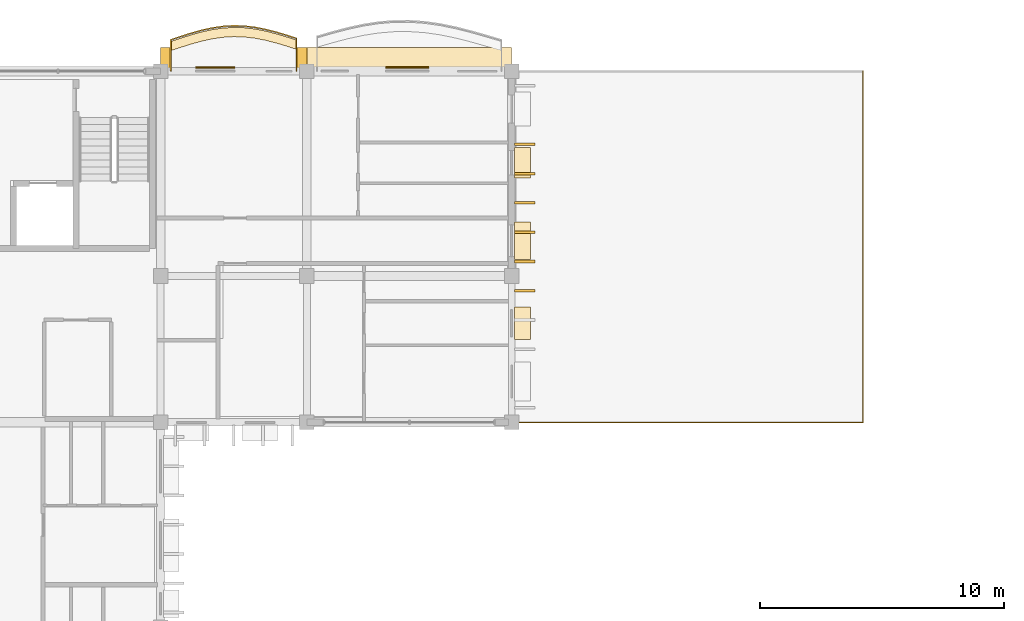
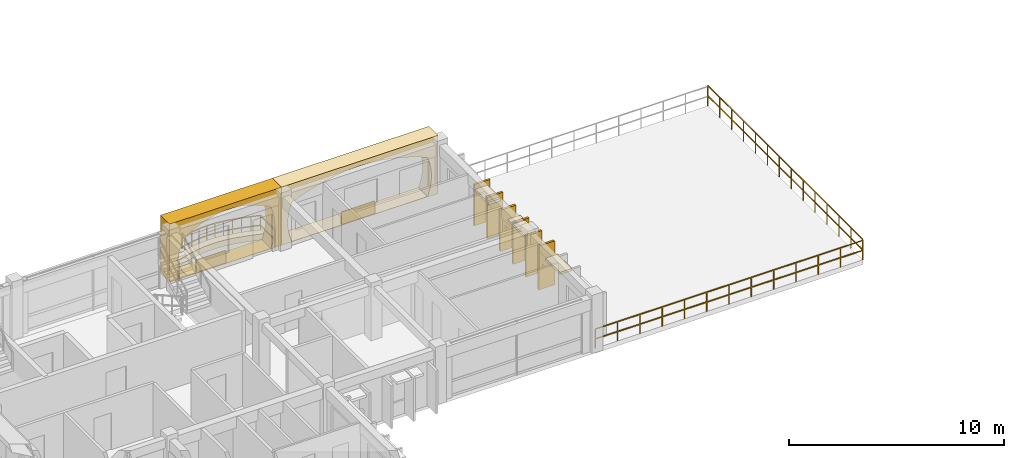
# One storey, part 24 of 31: 14 coverings, 3 railings.
"""IFC4 building model written with IfcOpenShell, lengths in metres."""

from ifc_helpers import new_model, si_unit, direction, frame, origin, origin_2d, place, context, subcontext, project, spatial, polyline, rectangle, outline, extrude, material, layer, layer_set, type_object, element, save


model = new_model("IFC4")

# Units and contexts
model_context = context("Model", 3, precision=1e-05, world=origin(), true_north=direction((0.0, 1.0)))
body_context = subcontext(model_context, "Body", "Model", "MODEL_VIEW")
ifc_project = project(units=[si_unit("LENGTHUNIT", "METRE"), si_unit("AREAUNIT", "SQUARE_METRE"), si_unit("VOLUMEUNIT", "CUBIC_METRE"), si_unit("PLANEANGLEUNIT", "RADIAN"), si_unit("MASSUNIT", "GRAM", prefix="KILO"), si_unit("THERMODYNAMICTEMPERATUREUNIT", "KELVIN")], contexts=[model_context])

# Site, building, storey
site_placement = place(None, origin())
site = spatial("IfcSite", under=ifc_project, at=site_placement, CompositionType="ELEMENT")
building_placement = place(site_placement, origin())
building = spatial("IfcBuilding", under=site, at=building_placement, Name="Thalorik Housing Commons", CompositionType="ELEMENT")
storey_placement = place(building_placement, frame((0.0, 0.0, 37.800048828125)))
storey = spatial("IfcBuildingStorey", under=building, at=storey_placement, Name="L11", CompositionType="ELEMENT", Elevation=37.800048828125)

# Coverings
ifc_material_1 = material(Name="Cobalt blue glazed ceramic facade tile panel", Category="masonry")
ifc_layer_1 = layer(ifc_material_1, 0.06005859375, Name="Cobalt blue glazed ceramic facade tile panel", Category="masonry")
ifc_layer_set_1 = layer_set([ifc_layer_1], Name="Cobalt blue glazed ceramic facade tile panel")
covering_type_1 = type_object("IfcCoveringType", Name="ARC-CLD-BLU-60", PredefinedType="CLADDING", material=ifc_layer_set_1)
covering_1_placement = place(storey_placement, frame((32.91748046875, 123.74755859375, 0.0498046875), z_axis=(0.0, 0.0, 1.0), x_axis=(-1.0, 0.0, 0.0)))
element("IfcCovering", 1, at=covering_1_placement, inside=storey, type_object=covering_type_1, Name="L11 De Stijl Recessed Window Spandrel 1131", PredefinedType="CLADDING", context=body_context, shape_type="SweptSolid", body=[
    extrude(rectangle(XDim=1.780029296875, YDim=0.06005859375, at=origin_2d()), origin(), (0.0, 0.0, 1.0), 0.699951171875),
])
ifc_material_2 = material(Name="Precast concrete C40/50", Category="concrete")
ifc_layer_2 = layer(ifc_material_2, 0.85009765625, Name="Precast concrete C40/50", Category="concrete")
ifc_layer_set_2 = layer_set([ifc_layer_2], Name="Precast concrete C40/50")
covering_type_2 = type_object("IfcCoveringType", Name="ARC-CLD-CUSH-850", PredefinedType="CLADDING", material=ifc_layer_set_2)
covering_2_placement = place(storey_placement, frame((33.0, 124.137451171875, 0.0), z_axis=(0.0, 0.0, 1.0), x_axis=(-1.0, 0.0, 0.0)))
element("IfcCovering", 2, at=covering_2_placement, inside=storey, type_object=covering_type_2, Name="L11 White Precast Curved Cushion Bay Frame 1130", PredefinedType="CLADDING", context=body_context, shape_type="SweptSolid", body=[
    extrude(outline(polyline([(-4.199951171875, 0.0), (4.199951171875, 0.0), (4.199951171875, 3.300048828125), (-4.199951171875, 3.300048828125), (-4.199951171875, 0.0)]), holes=[polyline([(3.65234375, 0.02490234375), (3.76806640625, 0.394287109375), (3.83740234375, 0.76318359375), (3.860595703125, 1.132568359375), (3.83740234375, 1.501708984375), (3.76806640625, 1.870849609375), (3.65234375, 2.239990234375), (3.04541015625, 2.4833984375), (2.438720703125, 2.6748046875), (1.831787109375, 2.82958984375), (1.224853515625, 2.94482421875), (0.6181640625, 3.01611328125), (0.01123046875, 3.0400390625), (-0.595703125, 3.01611328125), (-1.202392578125, 2.94482421875), (-1.809326171875, 2.82958984375), (-2.416259765625, 2.6748046875), (-3.023193359375, 2.4833984375), (-3.6298828125, 2.239990234375), (-3.750244140625, 1.870849609375), (-3.822509765625, 1.501708984375), (-3.8466796875, 1.132568359375), (-3.822509765625, 0.76318359375), (-3.750244140625, 0.394287109375), (-3.6298828125, 0.02490234375), (3.65234375, 0.02490234375)])]), frame((0.0, 0.425048828125, 0.0), z_axis=(0.0, -1.0, 0.0), x_axis=(1.0, 0.0, 0.0)), (0.0, 0.0, 1.0), 0.85009765625),
])
covering_3_placement = place(storey_placement, frame((25.800048828125, 124.137451171875, 0.0), z_axis=(0.0, 0.0, 1.0), x_axis=(-1.0, 0.0, 0.0)))
element("IfcCovering", 3, at=covering_3_placement, inside=storey, type_object=covering_type_2, Name="L11 White Precast Curved Cushion Bay Frame 1132", PredefinedType="CLADDING", context=body_context, shape_type="SweptSolid", body=[
    extrude(outline(polyline([(-3.0, 0.0), (3.0, 0.0), (3.0, 3.300048828125), (-3.0, 3.300048828125), (-3.0, 0.0)]), holes=[polyline([(2.0400390625, 0.02490234375), (2.3232421875, 0.415771484375), (2.493408203125, 0.806640625), (2.550048828125, 1.197509765625), (2.493408203125, 1.58837890625), (2.3232421875, 1.979248046875), (2.0400390625, 2.3701171875), (1.66748046875, 2.573974609375), (1.294921875, 2.734130859375), (0.922607421875, 2.864013671875), (0.550048828125, 2.960205078125), (0.177490234375, 3.02001953125), (-0.195068359375, 3.0400390625), (-0.5673828125, 3.02001953125), (-0.93994140625, 2.960205078125), (-1.3125, 2.864013671875), (-1.68505859375, 2.734130859375), (-2.0576171875, 2.573974609375), (-2.429931640625, 2.3701171875), (-2.55029296875, 1.979248046875), (-2.62255859375, 1.58837890625), (-2.646484375, 1.197509765625), (-2.62255859375, 0.806640625), (-2.55029296875, 0.415771484375), (-2.429931640625, 0.02490234375), (2.0400390625, 0.02490234375)])]), frame((0.0, 0.425048828125, 0.0), z_axis=(0.0, -1.0, 0.0), x_axis=(1.0, 0.0, 0.0)), (0.0, 0.0, 1.0), 0.85009765625),
])
ifc_layer_3 = layer(ifc_material_2, 0.85009765625, Name="Precast concrete C40/50", Category="concrete")
ifc_layer_set_3 = layer_set([ifc_layer_3], Name="Precast concrete C40/50")
covering_type_3 = type_object("IfcCoveringType", Name="ARC-CLD-FIN-850", PredefinedType="CLADDING", material=ifc_layer_set_3)
covering_4_placement = place(storey_placement, frame((37.737548828125, 114.60009765625, 0.039794921875), z_axis=(0.0, 0.0, 1.0), x_axis=(0.0, 1.0, 0.0)))
element("IfcCovering", 4, at=covering_4_placement, inside=storey, type_object=covering_type_3, Name="L11 Courtyard Precast Vertical Brise-Soleil Fin 1118", PredefinedType="CLADDING", context=body_context, shape_type="SweptSolid", body=[
    extrude(rectangle(XDim=0.110107421875, YDim=0.85009765625, at=origin_2d()), origin(), (0.0, 0.0, 1.0), 2.4951171875),
])
for number, where, z_axis, x_axis, name in (
    (5, (37.737548828125, 115.800048828125, 0.0400390625), (0.0, 0.0, 1.0), (0.0, 1.0, 0.0), "L11 Courtyard Precast Vertical Brise-Soleil Fin 1121"),
    (6, (37.737548828125, 117.0, 0.0400390625), (0.0, 0.0, 1.0), (0.0, 1.0, 0.0), "L11 Courtyard Precast Vertical Brise-Soleil Fin 1122"),
    (7, (37.737548828125, 118.199951171875, 0.0400390625), (0.0, 0.0, 1.0), (0.0, 1.0, 0.0), "L11 Courtyard Precast Vertical Brise-Soleil Fin 1123"),
    (8, (37.737548828125, 119.39990234375, 0.0400390625), (0.0, 0.0, 1.0), (0.0, 1.0, 0.0), "L11 Courtyard Precast Vertical Brise-Soleil Fin 1124"),
    (9, (37.737548828125, 120.60009765625, 0.0400390625), (0.0, 0.0, 1.0), (0.0, 1.0, 0.0), "L11 Courtyard Precast Vertical Brise-Soleil Fin 1125"),
):
    element("IfcCovering", number, at=place(storey_placement, frame(where, z_axis=z_axis, x_axis=x_axis)), inside=storey, type_object=covering_type_3, Name=name, PredefinedType="CLADDING", context=body_context, shape_type="SweptSolid", body=[
        extrude(rectangle(XDim=0.110107421875, YDim=0.85009765625, at=origin_2d()), origin(), (0.0, 0.0, 1.0), 2.344970703125),
    ])
ifc_layer_4 = layer(ifc_material_2, 0.64990234375, Name="Precast concrete C40/50", Category="concrete")
ifc_layer_set_4 = layer_set([ifc_layer_4], Name="Precast concrete C40/50")
covering_type_4 = type_object("IfcCoveringType", Name="ARC-CLD-HOOD-650", PredefinedType="CLADDING", material=ifc_layer_set_4)
covering_5_placement = place(storey_placement, frame((37.637451171875, 113.26513671875, 2.08984375), z_axis=(0.0, 0.0, 1.0), x_axis=(0.0, 1.0, 0.0)))
element("IfcCovering", 10, at=covering_5_placement, inside=storey, type_object=covering_type_4, Name="L11 Courtyard Precast Window Sun-Hood 1120", PredefinedType="CLADDING", context=body_context, shape_type="SweptSolid", body=[
    extrude(rectangle(XDim=1.340087890625, YDim=0.64990234375, at=origin_2d()), origin(), (0.0, 0.0, 1.0), 0.139892578125),
])
covering_6_placement = place(storey_placement, frame((37.637451171875, 116.64990234375, 2.18994140625), z_axis=(0.0, 0.0, 1.0), x_axis=(0.0, 1.0, 0.0)))
element("IfcCovering", 11, at=covering_6_placement, inside=storey, type_object=covering_type_4, Name="L11 Courtyard Precast Window Sun-Hood 1128", PredefinedType="CLADDING", context=body_context, shape_type="SweptSolid", body=[
    extrude(rectangle(XDim=1.5400390625, YDim=0.64990234375, at=origin_2d()), origin(), (0.0, 0.0, 1.0), 0.139892578125),
])
covering_7_placement = place(storey_placement, frame((37.637451171875, 119.8447265625, 2.0400390625), z_axis=(0.0, 0.0, 1.0), x_axis=(0.0, 1.0, 0.0)))
element("IfcCovering", 12, at=covering_7_placement, inside=storey, type_object=covering_type_4, Name="L11 Courtyard Precast Window Sun-Hood 1129", PredefinedType="CLADDING", context=body_context, shape_type="SweptSolid", body=[
    extrude(rectangle(XDim=1.239990234375, YDim=0.64990234375, at=origin_2d()), origin(), (0.0, 0.0, 1.0), 0.139892578125),
])
ifc_material_3 = material(Name="Mineral ochre architectural terracotta panel", Category="masonry")
ifc_layer_5 = layer(ifc_material_3, 0.06494140625, Name="Mineral ochre architectural terracotta panel", Category="masonry")
ifc_layer_set_5 = layer_set([ifc_layer_5], Name="Mineral ochre architectural terracotta panel")
covering_type_5 = type_object("IfcCoveringType", Name="ARC-CLD-YEL-65", PredefinedType="CLADDING", material=ifc_layer_set_5)
covering_8_placement = place(storey_placement, frame((25.034912109375, 123.75, 0.0498046875), z_axis=(0.0, 0.0, 1.0), x_axis=(-1.0, 0.0, 0.0)))
element("IfcCovering", 13, at=covering_8_placement, inside=storey, type_object=covering_type_5, Name="L11 De Stijl Recessed Window Spandrel 1133", PredefinedType="CLADDING", context=body_context, shape_type="SweptSolid", body=[
    extrude(rectangle(XDim=1.60009765625, YDim=0.06494140625, at=origin_2d()), origin(), (0.0, 0.0, 1.0), 0.699951171875),
])
ifc_material_4 = material(Name="Planted vegetated substrate and terracotta trough", Category="masonry")
ifc_layer_6 = layer(ifc_material_4, 0.340087890625, Name="Planted vegetated substrate and terracotta trough", Category="masonry")
ifc_layer_set_6 = layer_set([ifc_layer_6], Name="Planted vegetated substrate and terracotta trough")
covering_type_6 = type_object("IfcCoveringType", Name="ARC-COV-PLANTER", PredefinedType="USERDEFINED", material=ifc_layer_set_6)
covering_9_placement = place(storey_placement, origin())
element("IfcCovering", 14, at=covering_9_placement, inside=storey, type_object=covering_type_6, Name="L11 Balcony Slab-Edge Planted Trough 5392", ObjectType="PLANTER", PredefinedType="USERDEFINED", context=body_context, shape_type="SweptSolid", body=[
    extrude(outline(polyline([(28.3798828125, 124.877197265625), (27.949951171875, 125.014404296875), (27.52001953125, 125.141845703125), (27.090087890625, 125.2509765625), (26.659912109375, 125.333251953125), (26.22998046875, 125.383056640625), (25.800048828125, 125.39599609375), (25.3701171875, 125.37158203125), (24.93994140625, 125.310791015625), (24.510009765625, 125.218017578125), (24.080078125, 125.099853515625), (23.64990234375, 124.964599609375), (23.219970703125, 124.82177734375), (23.219970703125, 124.441650390625), (23.64990234375, 124.584716796875), (24.080078125, 124.719970703125), (24.510009765625, 124.838134765625), (24.93994140625, 124.930908203125), (25.3701171875, 124.991455078125), (25.800048828125, 125.01611328125), (26.22998046875, 125.0029296875), (26.659912109375, 124.953369140625), (27.090087890625, 124.87109375), (27.52001953125, 124.761962890625), (27.949951171875, 124.63427734375), (28.3798828125, 124.497314453125), (28.3798828125, 124.877197265625)])), origin(), (0.0, 0.0, 1.0), 0.33984375),
])

# Railings
ifc_material_5 = material(Name="Steel S355", Category="steel")
railing_type_1 = type_object("IfcRailingType", Name="ARC-RL-BAL-112", PredefinedType="BALUSTRADE", material=ifc_material_5)
railing_1_placement = place(storey_placement, frame((28.3798828125, 123.60009765625, 0.0)))
element("IfcRailing", 15, at=railing_1_placement, inside=storey, type_object=railing_type_1, Name="L11 Cushion Balcony Guardrail 76", PredefinedType="BALUSTRADE", context=body_context, shape_type="SweptSolid", body=[
    extrude(rectangle(XDim=0.050048828125, YDim=0.050048828125, at=origin_2d()), frame((0.0, 0.0, 1.09521484375), z_axis=(0.0, 1.0, 0.0), x_axis=(-1.0, 0.0, 0.0)), (0.0, 0.0, 1.0), 1.34716796875),
    extrude(rectangle(XDim=0.050048828125, YDim=0.050048828125, at=origin_2d()), frame((0.0, 0.0, 0.53515625), z_axis=(0.0, 1.0, 0.0), x_axis=(-1.0, 0.0, 0.0)), (0.0, 0.0, 1.0), 1.34716796875),
    extrude(rectangle(XDim=0.050048828125, YDim=0.050048828125, at=origin_2d()), frame((0.0, 1.34716796875, 1.09521484375), z_axis=(-0.952819131931, 0.30353863317, 0.0), x_axis=(-0.30353863317, -0.952819131931, 0.0)), (0.0, 0.0, 1.0), 0.451171875),
    extrude(rectangle(XDim=0.050048828125, YDim=0.050048828125, at=origin_2d()), frame((0.0, 1.34716796875, 0.53515625), z_axis=(-0.952819131931, 0.30353863317, 0.0), x_axis=(-0.30353863317, -0.952819131931, 0.0)), (0.0, 0.0, 1.0), 0.451171875),
    extrude(rectangle(XDim=0.050048828125, YDim=0.050048828125, at=origin_2d()), frame((-0.429931640625, 1.484130859375, 1.09521484375), z_axis=(-0.958616693349, 0.284699903817, 0.0), x_axis=(-0.284699903817, -0.958616693349, 0.0)), (0.0, 0.0, 1.0), 0.448486328125),
    extrude(rectangle(XDim=0.050048828125, YDim=0.050048828125, at=origin_2d()), frame((-0.429931640625, 1.484130859375, 0.53515625), z_axis=(-0.958616693349, 0.284699903817, 0.0), x_axis=(-0.284699903817, -0.958616693349, 0.0)), (0.0, 0.0, 1.0), 0.448486328125),
    extrude(rectangle(XDim=0.050048828125, YDim=0.050048828125, at=origin_2d()), frame((-0.85986328125, 1.61181640625, 1.09521484375), z_axis=(-0.969262026984, 0.246030735981, 0.0), x_axis=(-0.246030735981, -0.969262026984, 0.0)), (0.0, 0.0, 1.0), 0.443603515625),
    extrude(rectangle(XDim=0.050048828125, YDim=0.050048828125, at=origin_2d()), frame((-0.85986328125, 1.61181640625, 0.53515625), z_axis=(-0.969262026984, 0.246030735981, 0.0), x_axis=(-0.246030735981, -0.969262026984, 0.0)), (0.0, 0.0, 1.0), 0.443603515625),
    extrude(rectangle(XDim=0.050048828125, YDim=0.050048828125, at=origin_2d()), frame((-1.289794921875, 1.720947265625, 1.09521484375), z_axis=(-0.98219679274, 0.187854891688, 0.0), x_axis=(-0.187854891688, -0.98219679274, 0.0)), (0.0, 0.0, 1.0), 0.43798828125),
    extrude(rectangle(XDim=0.050048828125, YDim=0.050048828125, at=origin_2d()), frame((-1.289794921875, 1.720947265625, 0.53515625), z_axis=(-0.98219679274, 0.187854891688, 0.0), x_axis=(-0.187854891688, -0.98219679274, 0.0)), (0.0, 0.0, 1.0), 0.43798828125),
    extrude(rectangle(XDim=0.050048828125, YDim=0.050048828125, at=origin_2d()), frame((-1.719970703125, 1.80322265625, 1.09521484375), z_axis=(-0.993421283169, 0.114517047407, 0.0), x_axis=(-0.114517047407, -0.993421283169, 0.0)), (0.0, 0.0, 1.0), 0.432861328125),
    extrude(rectangle(XDim=0.050048828125, YDim=0.050048828125, at=origin_2d()), frame((-1.719970703125, 1.80322265625, 0.53515625), z_axis=(-0.993421283169, 0.114517047407, 0.0), x_axis=(-0.114517047407, -0.993421283169, 0.0)), (0.0, 0.0, 1.0), 0.432861328125),
    extrude(rectangle(XDim=0.050048828125, YDim=0.050048828125, at=origin_2d()), frame((-2.14990234375, 1.852783203125, 1.09521484375), z_axis=(-0.999530178738, 0.030649988445, 0.0), x_axis=(-0.030649988445, -0.999530178738, 0.0)), (0.0, 0.0, 1.0), 0.43017578125),
    extrude(rectangle(XDim=0.050048828125, YDim=0.050048828125, at=origin_2d()), frame((-2.14990234375, 1.852783203125, 0.53515625), z_axis=(-0.999530178738, 0.030649988445, 0.0), x_axis=(-0.030649988445, -0.999530178738, 0.0)), (0.0, 0.0, 1.0), 0.43017578125),
    extrude(rectangle(XDim=0.050048828125, YDim=0.050048828125, at=origin_2d()), frame((-2.579833984375, 1.865966796875, 1.09521484375), z_axis=(-0.998359318778, -0.057259677, 0.0), x_axis=(0.057259677, -0.998359318778, 0.0)), (0.0, 0.0, 1.0), 0.4306640625),
    extrude(rectangle(XDim=0.050048828125, YDim=0.050048828125, at=origin_2d()), frame((-2.579833984375, 1.865966796875, 0.53515625), z_axis=(-0.998359318778, -0.057259677, 0.0), x_axis=(0.057259677, -0.998359318778, 0.0)), (0.0, 0.0, 1.0), 0.4306640625),
    extrude(rectangle(XDim=0.050048828125, YDim=0.050048828125, at=origin_2d()), frame((-3.009765625, 1.84130859375, 1.09521484375), z_axis=(-0.990239618738, -0.139375383341, 0.0), x_axis=(0.139375383341, -0.990239618738, 0.0)), (0.0, 0.0, 1.0), 0.434326171875),
    extrude(rectangle(XDim=0.050048828125, YDim=0.050048828125, at=origin_2d()), frame((-3.009765625, 1.84130859375, 0.53515625), z_axis=(-0.990239618738, -0.139375383341, 0.0), x_axis=(0.139375383341, -0.990239618738, 0.0)), (0.0, 0.0, 1.0), 0.434326171875),
    extrude(rectangle(XDim=0.050048828125, YDim=0.050048828125, at=origin_2d()), frame((-3.43994140625, 1.78076171875, 1.09521484375), z_axis=(-0.977500851063, -0.210931472688, 0.0), x_axis=(0.210931472688, -0.977500851063, 0.0)), (0.0, 0.0, 1.0), 0.43994140625),
    extrude(rectangle(XDim=0.050048828125, YDim=0.050048828125, at=origin_2d()), frame((-3.43994140625, 1.78076171875, 0.53515625), z_axis=(-0.977500851063, -0.210931472688, 0.0), x_axis=(0.210931472688, -0.977500851063, 0.0)), (0.0, 0.0, 1.0), 0.43994140625),
    extrude(rectangle(XDim=0.050048828125, YDim=0.050048828125, at=origin_2d()), frame((-3.869873046875, 1.68798828125, 1.09521484375), z_axis=(-0.964243880098, -0.265016489476, 0.0), x_axis=(0.265016489476, -0.964243880098, 0.0)), (0.0, 0.0, 1.0), 0.44580078125),
    extrude(rectangle(XDim=0.050048828125, YDim=0.050048828125, at=origin_2d()), frame((-3.869873046875, 1.68798828125, 0.53515625), z_axis=(-0.964243880098, -0.265016489476, 0.0), x_axis=(0.265016489476, -0.964243880098, 0.0)), (0.0, 0.0, 1.0), 0.44580078125),
    extrude(rectangle(XDim=0.050048828125, YDim=0.050048828125, at=origin_2d()), frame((-4.2998046875, 1.56982421875, 1.09521484375), z_axis=(-0.953958313689, -0.299939220082, 0.0), x_axis=(0.299939220082, -0.953958313689, 0.0)), (0.0, 0.0, 1.0), 0.450927734375),
    extrude(rectangle(XDim=0.050048828125, YDim=0.050048828125, at=origin_2d()), frame((-4.2998046875, 1.56982421875, 0.53515625), z_axis=(-0.953958313689, -0.299939220082, 0.0), x_axis=(0.299939220082, -0.953958313689, 0.0)), (0.0, 0.0, 1.0), 0.450927734375),
    extrude(rectangle(XDim=0.050048828125, YDim=0.050048828125, at=origin_2d()), frame((-4.72998046875, 1.4345703125, 1.09521484375), z_axis=(-0.948844817182, -0.315742795496, 0.0), x_axis=(0.315742795496, -0.948844817182, 0.0)), (0.0, 0.0, 1.0), 0.453125),
    extrude(rectangle(XDim=0.050048828125, YDim=0.050048828125, at=origin_2d()), frame((-4.72998046875, 1.4345703125, 0.53515625), z_axis=(-0.948844817182, -0.315742795496, 0.0), x_axis=(0.315742795496, -0.948844817182, 0.0)), (0.0, 0.0, 1.0), 0.453125),
    extrude(rectangle(XDim=0.050048828125, YDim=0.050048828125, at=origin_2d()), frame((-5.159912109375, 1.29150390625, 1.09521484375), z_axis=(0.0, -1.0, 0.0), x_axis=(1.0, 0.0, 0.0)), (0.0, 0.0, 1.0), 1.29150390625),
    extrude(rectangle(XDim=0.050048828125, YDim=0.050048828125, at=origin_2d()), frame((-5.159912109375, 1.29150390625, 0.53515625), z_axis=(0.0, -1.0, 0.0), x_axis=(1.0, 0.0, 0.0)), (0.0, 0.0, 1.0), 1.29150390625),
    extrude(rectangle(XDim=0.0419921875, YDim=0.0419921875, at=origin_2d()), origin(), (0.0, 0.0, 1.0), 1.070068359375),
    extrude(rectangle(XDim=0.0419921875, YDim=0.0419921875, at=origin_2d()), frame((0.0, 1.34716796875, 0.0)), (0.0, 0.0, 1.0), 1.070068359375),
    extrude(rectangle(XDim=0.0419921875, YDim=0.0419921875, at=origin_2d()), frame((-0.429931640625, 1.484130859375, 0.0)), (0.0, 0.0, 1.0), 1.070068359375),
    extrude(rectangle(XDim=0.0419921875, YDim=0.0419921875, at=origin_2d()), frame((-0.85986328125, 1.61181640625, 0.0)), (0.0, 0.0, 1.0), 1.070068359375),
    extrude(rectangle(XDim=0.0419921875, YDim=0.0419921875, at=origin_2d()), frame((-1.289794921875, 1.720947265625, 0.0)), (0.0, 0.0, 1.0), 1.070068359375),
    extrude(rectangle(XDim=0.0419921875, YDim=0.0419921875, at=origin_2d()), frame((-1.719970703125, 1.80322265625, 0.0)), (0.0, 0.0, 1.0), 1.070068359375),
    extrude(rectangle(XDim=0.0419921875, YDim=0.0419921875, at=origin_2d()), frame((-2.14990234375, 1.852783203125, 0.0)), (0.0, 0.0, 1.0), 1.070068359375),
    extrude(rectangle(XDim=0.0419921875, YDim=0.0419921875, at=origin_2d()), frame((-2.579833984375, 1.865966796875, 0.0)), (0.0, 0.0, 1.0), 1.070068359375),
    extrude(rectangle(XDim=0.0419921875, YDim=0.0419921875, at=origin_2d()), frame((-3.009765625, 1.84130859375, 0.0)), (0.0, 0.0, 1.0), 1.070068359375),
    extrude(rectangle(XDim=0.0419921875, YDim=0.0419921875, at=origin_2d()), frame((-3.43994140625, 1.78076171875, 0.0)), (0.0, 0.0, 1.0), 1.070068359375),
    extrude(rectangle(XDim=0.0419921875, YDim=0.0419921875, at=origin_2d()), frame((-3.869873046875, 1.68798828125, 0.0)), (0.0, 0.0, 1.0), 1.070068359375),
    extrude(rectangle(XDim=0.0419921875, YDim=0.0419921875, at=origin_2d()), frame((-4.2998046875, 1.56982421875, 0.0)), (0.0, 0.0, 1.0), 1.070068359375),
    extrude(rectangle(XDim=0.0419921875, YDim=0.0419921875, at=origin_2d()), frame((-4.72998046875, 1.4345703125, 0.0)), (0.0, 0.0, 1.0), 1.070068359375),
    extrude(rectangle(XDim=0.0419921875, YDim=0.0419921875, at=origin_2d()), frame((-5.159912109375, 1.29150390625, 0.0)), (0.0, 0.0, 1.0), 1.070068359375),
    extrude(rectangle(XDim=0.0419921875, YDim=0.0419921875, at=origin_2d()), frame((-5.159912109375, 0.0, 0.0)), (0.0, 0.0, 1.0), 1.070068359375),
])
railing_type_2 = type_object("IfcRailingType", Name="ARC-RL-TER-112", PredefinedType="GUARDRAIL", material=ifc_material_5)
railing_2_placement = place(storey_placement, frame((37.25, 109.199951171875, 0.0)))
element("IfcRailing", 16, at=railing_2_placement, inside=storey, type_object=railing_type_2, Name="L11 L11 Upper Sky-Garden Terrace Edge Guardrail", PredefinedType="GUARDRAIL", context=body_context, shape_type="SweptSolid", body=[
    extrude(rectangle(XDim=0.048095703125, YDim=0.048095703125, at=origin_2d()), frame((0.0, 0.0, 1.09619140625), z_axis=(1.0, 0.0, 0.0), x_axis=(0.0, 1.0, 0.0)), (0.0, 0.0, 1.0), 14.35009765625),
    extrude(rectangle(XDim=0.048095703125, YDim=0.048095703125, at=origin_2d()), frame((0.0, 0.0, 0.5361328125), z_axis=(1.0, 0.0, 0.0), x_axis=(0.0, 1.0, 0.0)), (0.0, 0.0, 1.0), 14.35009765625),
    extrude(rectangle(XDim=0.0419921875, YDim=0.0419921875, at=origin_2d()), origin(), (0.0, 0.0, 1.0), 1.072021484375),
    extrude(rectangle(XDim=0.0419921875, YDim=0.0419921875, at=origin_2d()), frame((1.19580078125, 0.0, 0.0)), (0.0, 0.0, 1.0), 1.072021484375),
    extrude(rectangle(XDim=0.0419921875, YDim=0.0419921875, at=origin_2d()), frame((2.3916015625, 0.0, 0.0)), (0.0, 0.0, 1.0), 1.072021484375),
    extrude(rectangle(XDim=0.0419921875, YDim=0.0419921875, at=origin_2d()), frame((3.58740234375, 0.0, 0.0)), (0.0, 0.0, 1.0), 1.072021484375),
    extrude(rectangle(XDim=0.0419921875, YDim=0.0419921875, at=origin_2d()), frame((4.783447265625, 0.0, 0.0)), (0.0, 0.0, 1.0), 1.072021484375),
    extrude(rectangle(XDim=0.0419921875, YDim=0.0419921875, at=origin_2d()), frame((5.979248046875, 0.0, 0.0)), (0.0, 0.0, 1.0), 1.072021484375),
    extrude(rectangle(XDim=0.0419921875, YDim=0.0419921875, at=origin_2d()), frame((7.175048828125, 0.0, 0.0)), (0.0, 0.0, 1.0), 1.072021484375),
    extrude(rectangle(XDim=0.0419921875, YDim=0.0419921875, at=origin_2d()), frame((8.370849609375, 0.0, 0.0)), (0.0, 0.0, 1.0), 1.072021484375),
    extrude(rectangle(XDim=0.0419921875, YDim=0.0419921875, at=origin_2d()), frame((9.566650390625, 0.0, 0.0)), (0.0, 0.0, 1.0), 1.072021484375),
    extrude(rectangle(XDim=0.0419921875, YDim=0.0419921875, at=origin_2d()), frame((10.7626953125, 0.0, 0.0)), (0.0, 0.0, 1.0), 1.072021484375),
    extrude(rectangle(XDim=0.0419921875, YDim=0.0419921875, at=origin_2d()), frame((11.95849609375, 0.0, 0.0)), (0.0, 0.0, 1.0), 1.072021484375),
    extrude(rectangle(XDim=0.0419921875, YDim=0.0419921875, at=origin_2d()), frame((13.154296875, 0.0, 0.0)), (0.0, 0.0, 1.0), 1.072021484375),
    extrude(rectangle(XDim=0.0419921875, YDim=0.0419921875, at=origin_2d()), frame((14.35009765625, 0.0, 0.0)), (0.0, 0.0, 1.0), 1.072021484375),
])
railing_type_3 = type_object("IfcRailingType", Name="ARC-RL-TER-118", PredefinedType="GUARDRAIL", material=ifc_material_5)
railing_3_placement = place(storey_placement, frame((51.60009765625, 109.199951171875, 0.0)))
element("IfcRailing", 17, at=railing_3_placement, inside=storey, type_object=railing_type_3, Name="L11 L11 Upper Sky-Garden Terrace Edge Guardrail", PredefinedType="GUARDRAIL", context=body_context, shape_type="SweptSolid", body=[
    extrude(rectangle(XDim=0.048095703125, YDim=0.048095703125, at=origin_2d()), frame((0.0, 0.0, 1.15576171875), z_axis=(0.0, 1.0, 0.0), x_axis=(-1.0, 0.0, 0.0)), (0.0, 0.0, 1.0), 14.400146484375),
    extrude(rectangle(XDim=0.048095703125, YDim=0.048095703125, at=origin_2d()), frame((0.0, 0.0, 0.56591796875), z_axis=(0.0, 1.0, 0.0), x_axis=(-1.0, 0.0, 0.0)), (0.0, 0.0, 1.0), 14.400146484375),
    extrude(rectangle(XDim=0.0419921875, YDim=0.0419921875, at=origin_2d()), origin(), (0.0, 0.0, 1.0), 1.1318359375),
    extrude(rectangle(XDim=0.0419921875, YDim=0.0419921875, at=origin_2d()), frame((0.0, 1.107666015625, 0.0)), (0.0, 0.0, 1.0), 1.1318359375),
    extrude(rectangle(XDim=0.0419921875, YDim=0.0419921875, at=origin_2d()), frame((0.0, 2.21533203125, 0.0)), (0.0, 0.0, 1.0), 1.1318359375),
    extrude(rectangle(XDim=0.0419921875, YDim=0.0419921875, at=origin_2d()), frame((0.0, 3.322998046875, 0.0)), (0.0, 0.0, 1.0), 1.1318359375),
    extrude(rectangle(XDim=0.0419921875, YDim=0.0419921875, at=origin_2d()), frame((0.0, 4.430908203125, 0.0)), (0.0, 0.0, 1.0), 1.1318359375),
    extrude(rectangle(XDim=0.0419921875, YDim=0.0419921875, at=origin_2d()), frame((0.0, 5.53857421875, 0.0)), (0.0, 0.0, 1.0), 1.1318359375),
    extrude(rectangle(XDim=0.0419921875, YDim=0.0419921875, at=origin_2d()), frame((0.0, 6.646240234375, 0.0)), (0.0, 0.0, 1.0), 1.1318359375),
    extrude(rectangle(XDim=0.0419921875, YDim=0.0419921875, at=origin_2d()), frame((0.0, 7.75390625, 0.0)), (0.0, 0.0, 1.0), 1.1318359375),
    extrude(rectangle(XDim=0.0419921875, YDim=0.0419921875, at=origin_2d()), frame((0.0, 8.861572265625, 0.0)), (0.0, 0.0, 1.0), 1.1318359375),
    extrude(rectangle(XDim=0.0419921875, YDim=0.0419921875, at=origin_2d()), frame((0.0, 9.96923828125, 0.0)), (0.0, 0.0, 1.0), 1.1318359375),
    extrude(rectangle(XDim=0.0419921875, YDim=0.0419921875, at=origin_2d()), frame((0.0, 11.0771484375, 0.0)), (0.0, 0.0, 1.0), 1.1318359375),
    extrude(rectangle(XDim=0.0419921875, YDim=0.0419921875, at=origin_2d()), frame((0.0, 12.184814453125, 0.0)), (0.0, 0.0, 1.0), 1.1318359375),
    extrude(rectangle(XDim=0.0419921875, YDim=0.0419921875, at=origin_2d()), frame((0.0, 13.29248046875, 0.0)), (0.0, 0.0, 1.0), 1.1318359375),
    extrude(rectangle(XDim=0.0419921875, YDim=0.0419921875, at=origin_2d()), frame((0.0, 14.400146484375, 0.0)), (0.0, 0.0, 1.0), 1.1318359375),
])

save(model, "model.ifc")
